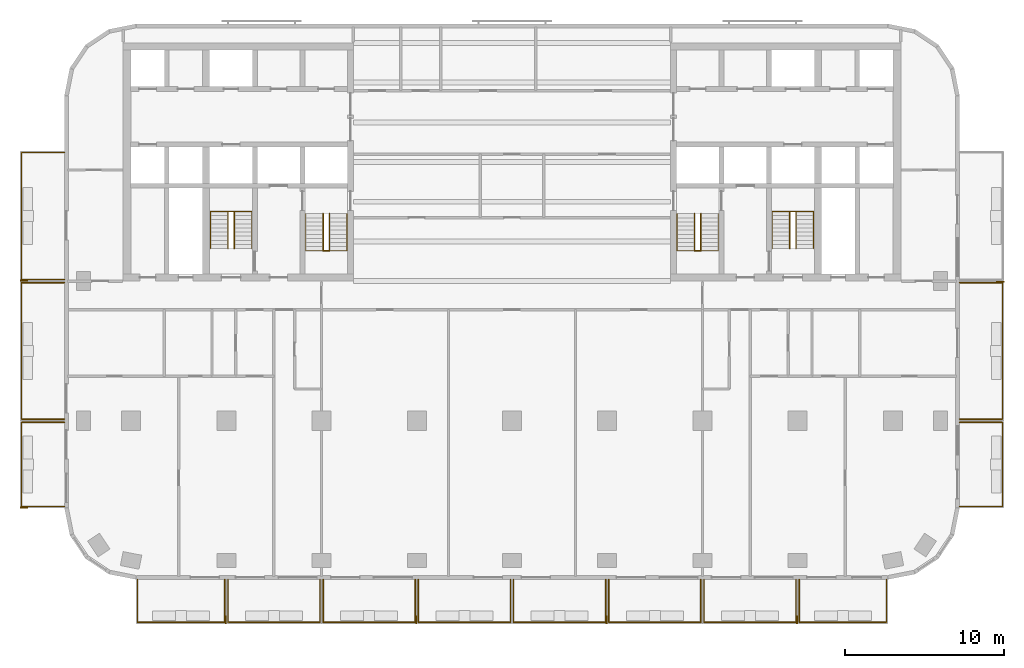
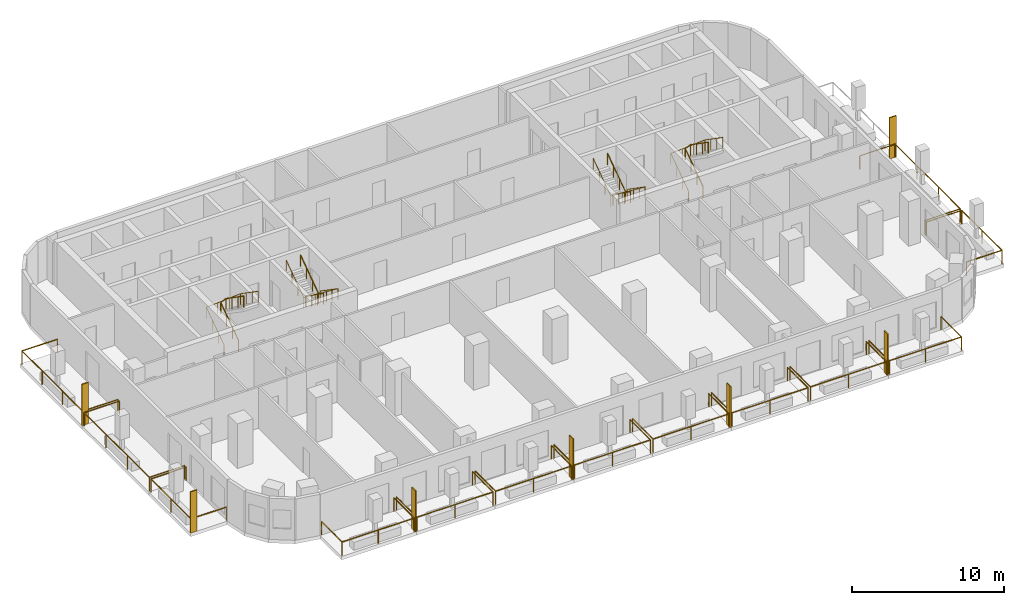
# One storey, part 9 of 11: 21 railings, 7 shading devices.
"""IFC4 building model written with IfcOpenShell, lengths in metres."""

import ifcopenshell
import ifcopenshell.guid

model = None  # the IFC model being written
_history = None  # IfcOwnerHistory: only IFC2X3 demands one
_inside = {}  # id of a spatial element -> (the spatial element, [elements in it])
_under = {}  # id of a project, library or spatial element -> (it, [spatial elements below it])
_declared = {}  # id of a project -> (the project, [libraries it declares])
_typed = {}  # id of a type object -> (the type object, [elements of that type])
_made_of = {}  # id of a material, layer set ... -> (it, [elements and type objects made of it])


def new_model(schema):
    """Start an empty IFC model of exactly this schema.

    Asked for "IFC4X3", IfcOpenShell would pick the latest addendum, in which some entities
    have other attributes; the version numbers below select the first issue.
    IFC2X3 requires an IfcOwnerHistory on every rooted entity: one is made here for all.
    """
    global model, _history
    if schema == "IFC4X3":
        model = ifcopenshell.file(schema_version=(4, 3, 0, 0))
    else:
        model = ifcopenshell.file(schema=schema)
    _inside.clear()
    _under.clear()
    _declared.clear()
    _typed.clear()
    _made_of.clear()
    _history = None
    if model.schema == "IFC2X3":
        org = make("IfcOrganization", Name="unknown")
        user = make(
            "IfcPersonAndOrganization",
            ThePerson=make("IfcPerson", FamilyName="unknown"),
            TheOrganization=org,
        )
        app = make(
            "IfcApplication",
            ApplicationDeveloper=org,
            Version="unknown",
            ApplicationFullName="unknown",
            ApplicationIdentifier="unknown",
        )
        _history = make(
            "IfcOwnerHistory",
            OwningUser=user,
            OwningApplication=app,
            ChangeAction="ADDED",
            CreationDate=0,
        )
    return model


def make(cls, **values):
    """One entity of the class cls with the attributes given. An attribute that is None is left unset."""
    return model.create_entity(
        cls, **{name: value for name, value in values.items() if value is not None}
    )


def rooted(cls, **values):
    """An entity with a GlobalId (a new one), such as an element, a storey or a relation."""
    return make(cls, GlobalId=ifcopenshell.guid.new(), OwnerHistory=_history, **values)


def si_unit(unit_type, name, prefix=None):
    """IfcSIUnit, for example si_unit("LENGTHUNIT", "METRE", prefix="MILLI")."""
    return make("IfcSIUnit", UnitType=unit_type, Prefix=prefix, Name=name)


def assignment(units):
    """IfcUnitAssignment: the units of a project."""
    return None if units is None else make("IfcUnitAssignment", Units=units)


def point(xyz):
    """IfcCartesianPoint."""
    return None if xyz is None else make("IfcCartesianPoint", Coordinates=xyz)


def direction(xyz):
    """IfcDirection."""
    return None if xyz is None else make("IfcDirection", DirectionRatios=xyz)


def frame(location, z_axis=None, x_axis=None):
    """IfcAxis2Placement3D, a coordinate frame: its origin and axes. An axis left out is left unset."""
    return make(
        "IfcAxis2Placement3D",
        Location=point(location),
        Axis=direction(z_axis),
        RefDirection=direction(x_axis),
    )


def frame_2d(location, x_axis=None):
    """IfcAxis2Placement2D, a coordinate frame in the plane: its origin and x axis."""
    return make(
        "IfcAxis2Placement2D", Location=point(location), RefDirection=direction(x_axis)
    )


def origin():
    """The frame at (0, 0, 0) with its axes left unset."""
    return frame((0.0, 0.0, 0.0))


def origin_2d():
    """The frame at (0, 0) in the plane with its x axis left unset."""
    return frame_2d((0.0, 0.0))


def place(relative_to, where):
    """IfcLocalPlacement: puts the frame where relative to a parent placement (None: the world)."""
    return make(
        "IfcLocalPlacement", PlacementRelTo=relative_to, RelativePlacement=where
    )


def context(
    kind, dimensions, precision=None, world=None, true_north=None, identifier=None
):
    """IfcGeometricRepresentationContext, for example the 3D "Model" context."""
    return make(
        "IfcGeometricRepresentationContext",
        ContextIdentifier=identifier,
        ContextType=kind,
        CoordinateSpaceDimension=dimensions,
        Precision=precision,
        WorldCoordinateSystem=world,
        TrueNorth=true_north,
    )


def subcontext(parent, identifier, kind, view, scale=None):
    """IfcGeometricRepresentationSubContext, for example "Body" below "Model"."""
    return make(
        "IfcGeometricRepresentationSubContext",
        ContextIdentifier=identifier,
        ContextType=kind,
        ParentContext=parent,
        TargetScale=scale,
        TargetView=view,
    )


def project(units=None, contexts=None):
    """IfcProject with its units and contexts."""
    return rooted(
        "IfcProject",
        Name="project",
        RepresentationContexts=contexts,
        UnitsInContext=assignment(units),
    )


def spatial(cls, under=None, at=None, **own):
    """A site, building, storey or space (cls), placed at a placement, below another one or the project."""
    s = rooted(cls, ObjectPlacement=at, **own)
    if under is not None:
        _under.setdefault(under.id(), (under, []))[1].append(s)
    return s


def profile(cls, at=None, kind="AREA", **sizes):
    """A parametric profile (cls). Its sizes go by their IFC names, for example OverallWidth=200.0."""
    return make(cls, ProfileType=kind, Position=at, **sizes)


def rectangle(**sizes):
    """IfcRectangleProfileDef."""
    return profile("IfcRectangleProfileDef", **sizes)


def circle(**sizes):
    """IfcCircleProfileDef."""
    return profile("IfcCircleProfileDef", **sizes)


def extrude(swept, where, along, depth):
    """IfcExtrudedAreaSolid: the profile swept, set in the frame where, extruded along a direction by depth."""
    return make(
        "IfcExtrudedAreaSolid",
        SweptArea=swept,
        Position=where,
        ExtrudedDirection=direction(along),
        Depth=depth,
    )


def shape(context_of_items, identifier, shape_type, items):
    """IfcShapeRepresentation: the items that make up one representation, for example the "Body"."""
    return make(
        "IfcShapeRepresentation",
        ContextOfItems=context_of_items,
        RepresentationIdentifier=identifier,
        RepresentationType=shape_type,
        Items=items,
    )


def material(Name=None, Category=None):
    """IfcMaterial."""
    return make("IfcMaterial", Name=Name, Category=Category)


def layer(
    of_material, thickness, ventilated=None, Name=None, Category=None, Priority=None
):
    """IfcMaterialLayer: one layer of a wall or slab, of a material (None: an air gap)."""
    return make(
        "IfcMaterialLayer",
        Material=of_material,
        LayerThickness=thickness,
        IsVentilated=ventilated,
        Name=Name,
        Category=Category,
        Priority=Priority,
    )


def layer_set(layers, Name=None):
    """IfcMaterialLayerSet."""
    return make("IfcMaterialLayerSet", MaterialLayers=layers, LayerSetName=Name)


def made_of(thing, what):
    """Note that an element or type object is made of a material, layer set ...; save() writes the relation."""
    if what is not None:
        _made_of.setdefault(what.id(), (what, []))[1].append(thing)
    return thing


def type_object(cls, material=None, **own):
    """A type object (cls), such as IfcWallType, which elements share."""
    return made_of(rooted(cls, **own), material)


def element(
    cls,
    number,
    at=None,
    inside=None,
    cuts=None,
    type_object=None,
    material=None,
    context=None,
    identifier="Body",
    shape_type=None,
    held_by="IfcProductDefinitionShape",
    body=None,
    shapes=None,
    **own,
):
    """One element of the class cls, such as IfcWall. Its Tag is "e" and its number.

    at: its placement. inside: the storey or other place that contains it. cuts: it is an
    opening in that element (IfcRelVoidsElement). A single representation is given by context,
    identifier, shape_type and body (its items); several are given by shapes. held_by: the class
    of the entity that holds the representations. save() writes the other relations.
    """
    e = rooted(cls, Tag="e%d" % number, ObjectPlacement=at, **own)
    if body is not None:
        shapes = [shape(context, identifier, shape_type, body)]
    if shapes is not None:
        e.Representation = make(held_by, Representations=shapes)
    if inside is not None:
        _inside.setdefault(inside.id(), (inside, []))[1].append(e)
    if cuts is not None:
        rooted(
            "IfcRelVoidsElement", RelatingBuildingElement=cuts, RelatedOpeningElement=e
        )
    if type_object is not None:
        _typed.setdefault(type_object.id(), (type_object, []))[1].append(e)
    return made_of(e, material)


def aggregate(whole, parts):
    """IfcRelAggregates: a whole, such as a stair, and the parts it consists of."""
    return rooted("IfcRelAggregates", RelatingObject=whole, RelatedObjects=parts)


def save(model, path):
    """Write the relations noted so far, then the file.

    IfcRelAggregates (storeys below a building ...), IfcRelContainedInSpatialStructure (elements
    in a storey), IfcRelDefinesByType, IfcRelAssociatesMaterial and IfcRelDeclares: one each for
    every whole, place, type object, material and project.
    """
    for whole, parts in _under.values():
        aggregate(whole, parts)
    for where, things in _inside.values():
        rooted(
            "IfcRelContainedInSpatialStructure",
            RelatedElements=things,
            RelatingStructure=where,
        )
    for kind, things in _typed.values():
        rooted("IfcRelDefinesByType", RelatedObjects=things, RelatingType=kind)
    for what, things in _made_of.values():
        rooted("IfcRelAssociatesMaterial", RelatedObjects=things, RelatingMaterial=what)
    for by, libraries in _declared.values():
        rooted("IfcRelDeclares", RelatingContext=by, RelatedDefinitions=libraries)
    model.write(path)


model = new_model("IFC4")

# Units and contexts
model_context = context("Model", 3, precision=1e-05, world=origin(), true_north=direction((0.0, 1.0)))
body_context = subcontext(model_context, "Body", "Model", "MODEL_VIEW")
ifc_project = project(units=[si_unit("LENGTHUNIT", "METRE"), si_unit("AREAUNIT", "SQUARE_METRE"), si_unit("VOLUMEUNIT", "CUBIC_METRE"), si_unit("PLANEANGLEUNIT", "RADIAN"), si_unit("MASSUNIT", "GRAM", prefix="KILO")], contexts=[model_context])

# Site, building, storey
site_placement = place(None, origin())
site = spatial("IfcSite", under=ifc_project, at=site_placement, CompositionType="ELEMENT")
building_placement = place(site_placement, origin())
building = spatial("IfcBuilding", under=site, at=building_placement, Name="Torana Hotel and Residences", CompositionType="ELEMENT")
storey_placement = place(building_placement, frame((0.0, 0.0, 145.199951171875)))
storey = spatial("IfcBuildingStorey", under=building, at=storey_placement, Name="L37", CompositionType="ELEMENT", Elevation=145.199951171875)

# Shading devices
ifc_material_1 = material(Name="Black powder coated aluminium", Category="aluminium")
ifc_layer = layer(ifc_material_1, 0.080078125)
ifc_layer_set = layer_set([ifc_layer], Name="FN1 VERTICAL FIN 500x80")
shading_device_type = type_object("IfcShadingDeviceType", Name="FN1 VERTICAL FIN 500x80", PredefinedType="USERDEFINED", material=ifc_layer_set)
for number, where, z_axis, x_axis, name in (
    (1, (-18.0400390625, -36.35009765625, 0.0), (0.0, 0.0, 1.0), (-1.0, 0.0, 0.0), "Fin 01"),
    (2, (-6.0400390625, -36.35009765625, 0.0), (0.0, 0.0, 1.0), (-1.0, 0.0, 0.0), "Fin 03"),
    (3, (5.9599609375, -36.35009765625, 0.0), (0.0, 0.0, 1.0), (-1.0, 0.0, 0.0), "Fin 05"),
    (4, (17.9599609375, -36.35009765625, 0.0), (0.0, 0.0, 1.0), (-1.0, 0.0, 0.0), "Fin 07"),
    (5, (-30.75, -29.260009765625, 0.0), (0.0, 0.0, 1.0), (0.0, 1.0, 0.0), "Fin 09"),
    (6, (-30.75, -14.9599609375, 0.0), (0.0, 0.0, 1.0), (0.0, 1.0, 0.0), "Fin 11"),
    (7, (30.75, -15.0400390625, 0.0), (0.0, 0.0, 1.0), (0.0, -1.0, 0.0), "Fin 13"),
):
    element("IfcShadingDevice", number, at=place(storey_placement, frame(where, z_axis=z_axis, x_axis=x_axis)), inside=storey, type_object=shading_device_type, Name=name, ObjectType="FIN", PredefinedType="USERDEFINED", context=body_context, shape_type="SweptSolid", body=[
        extrude(rectangle(XDim=0.080078125, YDim=0.5, at=origin_2d()), origin(), (0.0, 0.0, 1.0), 3.320068359375),
    ])

# Railings
ifc_material_2 = material(Name="Laminated glass balustrade with black handrail", Category="glass")
railing_type_1 = type_object("IfcRailingType", Name="GR1 BALCONY GUARD 1100 GLASS", PredefinedType="GUARDRAIL", material=ifc_material_2)
railing_1_placement = place(storey_placement, frame((-18.10009765625, -33.800048828125, 0.0)))
element("IfcRailing", 8, at=railing_1_placement, inside=storey, type_object=railing_type_1, Name="Balcony guard 01", PredefinedType="GUARDRAIL", context=body_context, shape_type="SweptSolid", body=[
    extrude(circle(Radius=0.02392578125, at=origin_2d()), frame((0.0, 0.0, 1.076171875), z_axis=(0.0, -1.0, 0.0), x_axis=(1.0, 0.0, 0.0)), (0.0, 0.0, 1.0), 2.699951171875),
    extrude(circle(Radius=0.02392578125, at=origin_2d()), frame((0.0, -2.699951171875, 1.076171875), z_axis=(-1.0, 0.0, 0.0), x_axis=(0.0, -1.0, 0.0)), (0.0, 0.0, 1.0), 5.5),
    extrude(circle(Radius=0.02392578125, at=origin_2d()), frame((-5.5, -2.699951171875, 1.076171875), z_axis=(0.0, 1.0, 0.0), x_axis=(-1.0, 0.0, 0.0)), (0.0, 0.0, 1.0), 2.699951171875),
    extrude(circle(Radius=0.02099609375, at=origin_2d()), origin(), (0.0, 0.0, 1.0), 1.052001953125),
    extrude(circle(Radius=0.02099609375, at=origin_2d()), frame((0.0, -2.699951171875, 0.0)), (0.0, 0.0, 1.0), 1.052001953125),
    extrude(circle(Radius=0.02099609375, at=origin_2d()), frame((-2.75, -2.699951171875, 0.0)), (0.0, 0.0, 1.0), 1.052001953125),
    extrude(circle(Radius=0.02099609375, at=origin_2d()), frame((-5.5, -2.699951171875, 0.0)), (0.0, 0.0, 1.0), 1.052001953125),
    extrude(circle(Radius=0.02099609375, at=origin_2d()), frame((-5.5, 0.0, 0.0)), (0.0, 0.0, 1.0), 1.052001953125),
])
for number, where, name in (
    (9, (-12.10009765625, -33.800048828125, 0.0), "Balcony guard 02"),
    (10, (-6.10009765625, -33.800048828125, 0.0), "Balcony guard 03"),
    (11, (-0.10009765625, -33.800048828125, 0.0), "Balcony guard 04"),
    (12, (5.89990234375, -33.800048828125, 0.0), "Balcony guard 05"),
    (13, (11.89990234375, -33.800048828125, 0.0), "Balcony guard 06"),
    (14, (17.89990234375, -33.800048828125, 0.0), "Balcony guard 07"),
):
    element("IfcRailing", number, at=place(storey_placement, frame(where)), inside=storey, type_object=railing_type_1, Name=name, PredefinedType="GUARDRAIL", context=body_context, shape_type="SweptSolid", body=[
        extrude(circle(Radius=0.02392578125, at=origin_2d()), frame((0.0, 0.0, 1.076171875), z_axis=(0.0, -1.0, 0.0), x_axis=(1.0, 0.0, 0.0)), (0.0, 0.0, 1.0), 2.699951171875),
        extrude(circle(Radius=0.02392578125, at=origin_2d()), frame((0.0, -2.699951171875, 1.076171875), z_axis=(-1.0, 0.0, 0.0), x_axis=(0.0, -1.0, 0.0)), (0.0, 0.0, 1.0), 5.7998046875),
        extrude(circle(Radius=0.02392578125, at=origin_2d()), frame((-5.7998046875, -2.699951171875, 1.076171875), z_axis=(0.0, 1.0, 0.0), x_axis=(-1.0, 0.0, 0.0)), (0.0, 0.0, 1.0), 2.699951171875),
        extrude(circle(Radius=0.02099609375, at=origin_2d()), origin(), (0.0, 0.0, 1.0), 1.052001953125),
        extrude(circle(Radius=0.02099609375, at=origin_2d()), frame((0.0, -2.699951171875, 0.0)), (0.0, 0.0, 1.0), 1.052001953125),
        extrude(circle(Radius=0.02099609375, at=origin_2d()), frame((-2.89990234375, -2.699951171875, 0.0)), (0.0, 0.0, 1.0), 1.052001953125),
        extrude(circle(Radius=0.02099609375, at=origin_2d()), frame((-5.7998046875, -2.699951171875, 0.0)), (0.0, 0.0, 1.0), 1.052001953125),
        extrude(circle(Radius=0.02099609375, at=origin_2d()), frame((-5.7998046875, 0.0, 0.0)), (0.0, 0.0, 1.0), 1.052001953125),
    ])
railing_2_placement = place(storey_placement, frame((23.60009765625, -33.800048828125, 0.0)))
element("IfcRailing", 15, at=railing_2_placement, inside=storey, type_object=railing_type_1, Name="Balcony guard 08", PredefinedType="GUARDRAIL", context=body_context, shape_type="SweptSolid", body=[
    extrude(circle(Radius=0.02392578125, at=origin_2d()), frame((0.0, 0.0, 1.076171875), z_axis=(0.0, -1.0, 0.0), x_axis=(1.0, 0.0, 0.0)), (0.0, 0.0, 1.0), 2.699951171875),
    extrude(circle(Radius=0.02392578125, at=origin_2d()), frame((0.0, -2.699951171875, 1.076171875), z_axis=(-1.0, 0.0, 0.0), x_axis=(0.0, -1.0, 0.0)), (0.0, 0.0, 1.0), 5.5),
    extrude(circle(Radius=0.02392578125, at=origin_2d()), frame((-5.5, -2.699951171875, 1.076171875), z_axis=(0.0, 1.0, 0.0), x_axis=(-1.0, 0.0, 0.0)), (0.0, 0.0, 1.0), 2.699951171875),
    extrude(circle(Radius=0.02099609375, at=origin_2d()), origin(), (0.0, 0.0, 1.0), 1.052001953125),
    extrude(circle(Radius=0.02099609375, at=origin_2d()), frame((0.0, -2.699951171875, 0.0)), (0.0, 0.0, 1.0), 1.052001953125),
    extrude(circle(Radius=0.02099609375, at=origin_2d()), frame((-2.75, -2.699951171875, 0.0)), (0.0, 0.0, 1.0), 1.052001953125),
    extrude(circle(Radius=0.02099609375, at=origin_2d()), frame((-5.5, -2.699951171875, 0.0)), (0.0, 0.0, 1.0), 1.052001953125),
    extrude(circle(Radius=0.02099609375, at=origin_2d()), frame((-5.5, 0.0, 0.0)), (0.0, 0.0, 1.0), 1.052001953125),
])
railing_3_placement = place(storey_placement, frame((-28.199951171875, -29.199951171875, 0.0)))
element("IfcRailing", 16, at=railing_3_placement, inside=storey, type_object=railing_type_1, Name="Balcony guard 09", PredefinedType="GUARDRAIL", context=body_context, shape_type="SweptSolid", body=[
    extrude(circle(Radius=0.02392578125, at=origin_2d()), frame((0.0, 0.0, 1.076171875), z_axis=(-1.0, 0.0, 0.0), x_axis=(0.0, -1.0, 0.0)), (0.0, 0.0, 1.0), 2.699951171875),
    extrude(circle(Radius=0.02392578125, at=origin_2d()), frame((-2.699951171875, 0.0, 1.076171875), z_axis=(0.0, 1.0, 0.0), x_axis=(-1.0, 0.0, 0.0)), (0.0, 0.0, 1.0), 5.300048828125),
    extrude(circle(Radius=0.02392578125, at=origin_2d()), frame((-2.699951171875, 5.300048828125, 1.076171875), z_axis=(1.0, 0.0, 0.0), x_axis=(0.0, 1.0, 0.0)), (0.0, 0.0, 1.0), 2.699951171875),
    extrude(circle(Radius=0.02099609375, at=origin_2d()), origin(), (0.0, 0.0, 1.0), 1.052001953125),
    extrude(circle(Radius=0.02099609375, at=origin_2d()), frame((-2.699951171875, 0.0, 0.0)), (0.0, 0.0, 1.0), 1.052001953125),
    extrude(circle(Radius=0.02099609375, at=origin_2d()), frame((-2.699951171875, 2.64990234375, 0.0)), (0.0, 0.0, 1.0), 1.052001953125),
    extrude(circle(Radius=0.02099609375, at=origin_2d()), frame((-2.699951171875, 5.300048828125, 0.0)), (0.0, 0.0, 1.0), 1.052001953125),
    extrude(circle(Radius=0.02099609375, at=origin_2d()), frame((0.0, 5.300048828125, 0.0)), (0.0, 0.0, 1.0), 1.052001953125),
])
railing_4_placement = place(storey_placement, frame((-28.199951171875, -23.699951171875, 0.0)))
element("IfcRailing", 17, at=railing_4_placement, inside=storey, type_object=railing_type_1, Name="Balcony guard 10", PredefinedType="GUARDRAIL", context=body_context, shape_type="SweptSolid", body=[
    extrude(circle(Radius=0.02392578125, at=origin_2d()), frame((0.0, 0.0, 1.076171875), z_axis=(-1.0, 0.0, 0.0), x_axis=(0.0, -1.0, 0.0)), (0.0, 0.0, 1.0), 2.699951171875),
    extrude(circle(Radius=0.02392578125, at=origin_2d()), frame((-2.699951171875, 0.0, 1.076171875), z_axis=(0.0, 1.0, 0.0), x_axis=(-1.0, 0.0, 0.0)), (0.0, 0.0, 1.0), 8.599853515625),
    extrude(circle(Radius=0.02392578125, at=origin_2d()), frame((-2.699951171875, 8.599853515625, 1.076171875), z_axis=(1.0, 0.0, 0.0), x_axis=(0.0, 1.0, 0.0)), (0.0, 0.0, 1.0), 2.699951171875),
    extrude(circle(Radius=0.02099609375, at=origin_2d()), origin(), (0.0, 0.0, 1.0), 1.052001953125),
    extrude(circle(Radius=0.02099609375, at=origin_2d()), frame((-2.699951171875, 0.0, 0.0)), (0.0, 0.0, 1.0), 1.052001953125),
    extrude(circle(Radius=0.02099609375, at=origin_2d()), frame((-2.699951171875, 2.86669921875, 0.0)), (0.0, 0.0, 1.0), 1.052001953125),
    extrude(circle(Radius=0.02099609375, at=origin_2d()), frame((-2.699951171875, 5.733154296875, 0.0)), (0.0, 0.0, 1.0), 1.052001953125),
    extrude(circle(Radius=0.02099609375, at=origin_2d()), frame((-2.699951171875, 8.599853515625, 0.0)), (0.0, 0.0, 1.0), 1.052001953125),
    extrude(circle(Radius=0.02099609375, at=origin_2d()), frame((0.0, 8.599853515625, 0.0)), (0.0, 0.0, 1.0), 1.052001953125),
])
railing_5_placement = place(storey_placement, frame((-28.199951171875, -14.89990234375, 0.0)))
element("IfcRailing", 18, at=railing_5_placement, inside=storey, type_object=railing_type_1, Name="Balcony guard 11", PredefinedType="GUARDRAIL", context=body_context, shape_type="SweptSolid", body=[
    extrude(circle(Radius=0.02392578125, at=origin_2d()), frame((0.0, 0.0, 1.076171875), z_axis=(-1.0, 0.0, 0.0), x_axis=(0.0, -1.0, 0.0)), (0.0, 0.0, 1.0), 2.699951171875),
    extrude(circle(Radius=0.02392578125, at=origin_2d()), frame((-2.699951171875, 0.0, 1.076171875), z_axis=(0.0, 1.0, 0.0), x_axis=(-1.0, 0.0, 0.0)), (0.0, 0.0, 1.0), 8.0),
    extrude(circle(Radius=0.02392578125, at=origin_2d()), frame((-2.699951171875, 8.0, 1.076171875), z_axis=(1.0, 0.0, 0.0), x_axis=(0.0, 1.0, 0.0)), (0.0, 0.0, 1.0), 2.699951171875),
    extrude(circle(Radius=0.02099609375, at=origin_2d()), origin(), (0.0, 0.0, 1.0), 1.052001953125),
    extrude(circle(Radius=0.02099609375, at=origin_2d()), frame((-2.699951171875, 0.0, 0.0)), (0.0, 0.0, 1.0), 1.052001953125),
    extrude(circle(Radius=0.02099609375, at=origin_2d()), frame((-2.699951171875, 2.666748046875, 0.0)), (0.0, 0.0, 1.0), 1.052001953125),
    extrude(circle(Radius=0.02099609375, at=origin_2d()), frame((-2.699951171875, 5.333251953125, 0.0)), (0.0, 0.0, 1.0), 1.052001953125),
    extrude(circle(Radius=0.02099609375, at=origin_2d()), frame((-2.699951171875, 8.0, 0.0)), (0.0, 0.0, 1.0), 1.052001953125),
    extrude(circle(Radius=0.02099609375, at=origin_2d()), frame((0.0, 8.0, 0.0)), (0.0, 0.0, 1.0), 1.052001953125),
])
railing_6_placement = place(storey_placement, frame((28.199951171875, -23.89990234375, 0.0)))
element("IfcRailing", 19, at=railing_6_placement, inside=storey, type_object=railing_type_1, Name="Balcony guard 12", PredefinedType="GUARDRAIL", context=body_context, shape_type="SweptSolid", body=[
    extrude(circle(Radius=0.02392578125, at=origin_2d()), frame((0.0, 0.0, 1.076171875), z_axis=(1.0, 0.0, 0.0), x_axis=(0.0, 1.0, 0.0)), (0.0, 0.0, 1.0), 2.699951171875),
    extrude(circle(Radius=0.02392578125, at=origin_2d()), frame((2.699951171875, 0.0, 1.076171875), z_axis=(0.0, -1.0, 0.0), x_axis=(1.0, 0.0, 0.0)), (0.0, 0.0, 1.0), 5.300048828125),
    extrude(circle(Radius=0.02392578125, at=origin_2d()), frame((2.699951171875, -5.300048828125, 1.076171875), z_axis=(-1.0, 0.0, 0.0), x_axis=(0.0, -1.0, 0.0)), (0.0, 0.0, 1.0), 2.699951171875),
    extrude(circle(Radius=0.02099609375, at=origin_2d()), origin(), (0.0, 0.0, 1.0), 1.052001953125),
    extrude(circle(Radius=0.02099609375, at=origin_2d()), frame((2.699951171875, 0.0, 0.0)), (0.0, 0.0, 1.0), 1.052001953125),
    extrude(circle(Radius=0.02099609375, at=origin_2d()), frame((2.699951171875, -2.64990234375, 0.0)), (0.0, 0.0, 1.0), 1.052001953125),
    extrude(circle(Radius=0.02099609375, at=origin_2d()), frame((2.699951171875, -5.300048828125, 0.0)), (0.0, 0.0, 1.0), 1.052001953125),
    extrude(circle(Radius=0.02099609375, at=origin_2d()), frame((0.0, -5.300048828125, 0.0)), (0.0, 0.0, 1.0), 1.052001953125),
])
railing_7_placement = place(storey_placement, frame((28.199951171875, -15.10009765625, 0.0)))
element("IfcRailing", 20, at=railing_7_placement, inside=storey, type_object=railing_type_1, Name="Balcony guard 13", PredefinedType="GUARDRAIL", context=body_context, shape_type="SweptSolid", body=[
    extrude(circle(Radius=0.02392578125, at=origin_2d()), frame((0.0, 0.0, 1.076171875), z_axis=(1.0, 0.0, 0.0), x_axis=(0.0, 1.0, 0.0)), (0.0, 0.0, 1.0), 2.699951171875),
    extrude(circle(Radius=0.02392578125, at=origin_2d()), frame((2.699951171875, 0.0, 1.076171875), z_axis=(0.0, -1.0, 0.0), x_axis=(1.0, 0.0, 0.0)), (0.0, 0.0, 1.0), 8.599853515625),
    extrude(circle(Radius=0.02392578125, at=origin_2d()), frame((2.699951171875, -8.599853515625, 1.076171875), z_axis=(-1.0, 0.0, 0.0), x_axis=(0.0, -1.0, 0.0)), (0.0, 0.0, 1.0), 2.699951171875),
    extrude(circle(Radius=0.02099609375, at=origin_2d()), origin(), (0.0, 0.0, 1.0), 1.052001953125),
    extrude(circle(Radius=0.02099609375, at=origin_2d()), frame((2.699951171875, 0.0, 0.0)), (0.0, 0.0, 1.0), 1.052001953125),
    extrude(circle(Radius=0.02099609375, at=origin_2d()), frame((2.699951171875, -2.86669921875, 0.0)), (0.0, 0.0, 1.0), 1.052001953125),
    extrude(circle(Radius=0.02099609375, at=origin_2d()), frame((2.699951171875, -5.733154296875, 0.0)), (0.0, 0.0, 1.0), 1.052001953125),
    extrude(circle(Radius=0.02099609375, at=origin_2d()), frame((2.699951171875, -8.599853515625, 0.0)), (0.0, 0.0, 1.0), 1.052001953125),
    extrude(circle(Radius=0.02099609375, at=origin_2d()), frame((0.0, -8.599853515625, 0.0)), (0.0, 0.0, 1.0), 1.052001953125),
])
ifc_material_3 = material(Name="Stainless steel 316", Category="steel")
railing_type_2 = type_object("IfcRailingType", Name="STAIR HANDRAIL HR1 900", PredefinedType="HANDRAIL", material=ifc_material_3)
railing_8_placement = place(storey_placement, frame((-10.39990234375, -10.75, 0.179931640625)))
element("IfcRailing", 21, at=railing_8_placement, inside=storey, type_object=railing_type_2, Name="Handrail ST1 L37 O1", PredefinedType="HANDRAIL", context=body_context, shape_type="SweptSolid", body=[
    extrude(circle(Radius=0.02392578125, at=origin_2d()), frame((0.0, 0.0, 0.8759765625), z_axis=(0.0, -0.822182927502, 0.569223360136), x_axis=(1.0, 0.0, 0.0)), (0.0, 0.0, 1.0), 2.84619140625),
    extrude(circle(Radius=0.02392578125, at=origin_2d()), frame((0.0, -2.340087890625, 2.49609375), z_axis=(-0.997614115953, 0.0, 0.069036770278), x_axis=(0.0, -1.0, 0.0)), (0.0, 0.0, 1.0), 2.606201171875),
    extrude(circle(Radius=0.02392578125, at=origin_2d()), frame((-2.60009765625, -2.340087890625, 2.67578125), z_axis=(0.0, 0.822182927502, 0.569223360136), x_axis=(-1.0, 0.0, 0.0)), (0.0, 0.0, 1.0), 2.84619140625),
    extrude(circle(Radius=0.02099609375, at=origin_2d()), origin(), (0.0, 0.0, 1.0), 0.851806640625),
    extrude(circle(Radius=0.02099609375, at=origin_2d()), frame((0.0, -0.780029296875, 0.5400390625)), (0.0, 0.0, 1.0), 0.851806640625),
    extrude(circle(Radius=0.02099609375, at=origin_2d()), frame((0.0, -1.56005859375, 1.080078125)), (0.0, 0.0, 1.0), 0.851806640625),
    extrude(circle(Radius=0.02099609375, at=origin_2d()), frame((0.0, -2.340087890625, 1.6201171875)), (0.0, 0.0, 1.0), 0.851806640625),
    extrude(circle(Radius=0.02099609375, at=origin_2d()), frame((-0.86669921875, -2.340087890625, 1.68017578125)), (0.0, 0.0, 1.0), 0.851806640625),
    extrude(circle(Radius=0.02099609375, at=origin_2d()), frame((-1.7333984375, -2.340087890625, 1.739990234375)), (0.0, 0.0, 1.0), 0.851806640625),
    extrude(circle(Radius=0.02099609375, at=origin_2d()), frame((-2.60009765625, -2.340087890625, 1.800048828125)), (0.0, 0.0, 1.0), 0.851806640625),
    extrude(circle(Radius=0.02099609375, at=origin_2d()), frame((-2.60009765625, -1.56005859375, 2.340087890625)), (0.0, 0.0, 1.0), 0.851806640625),
    extrude(circle(Radius=0.02099609375, at=origin_2d()), frame((-2.60009765625, -0.780029296875, 2.880126953125)), (0.0, 0.0, 1.0), 0.851806640625),
    extrude(circle(Radius=0.02099609375, at=origin_2d()), frame((-2.60009765625, 0.0, 3.420166015625)), (0.0, 0.0, 1.0), 0.851806640625),
])
railing_9_placement = place(storey_placement, frame((-11.5, -10.75, 0.179931640625)))
element("IfcRailing", 22, at=railing_9_placement, inside=storey, type_object=railing_type_2, Name="Handrail ST1 L37 I1", PredefinedType="HANDRAIL", context=body_context, shape_type="SweptSolid", body=[
    extrude(circle(Radius=0.02392578125, at=origin_2d()), frame((0.0, 0.0, 0.8759765625), z_axis=(0.0, -0.822182927502, 0.569223360136), x_axis=(1.0, 0.0, 0.0)), (0.0, 0.0, 1.0), 2.84619140625),
    extrude(circle(Radius=0.02392578125, at=origin_2d()), frame((0.0, -2.340087890625, 2.49609375), z_axis=(-0.911942338396, 0.0, 0.410318378143), x_axis=(0.0, -1.0, 0.0)), (0.0, 0.0, 1.0), 0.4384765625),
    extrude(circle(Radius=0.02392578125, at=origin_2d()), frame((-0.39990234375, -2.340087890625, 2.67578125), z_axis=(0.0, 0.822182927502, 0.569223360136), x_axis=(-1.0, 0.0, 0.0)), (0.0, 0.0, 1.0), 2.84619140625),
    extrude(circle(Radius=0.02099609375, at=origin_2d()), origin(), (0.0, 0.0, 1.0), 0.851806640625),
    extrude(circle(Radius=0.02099609375, at=origin_2d()), frame((0.0, -0.780029296875, 0.5400390625)), (0.0, 0.0, 1.0), 0.851806640625),
    extrude(circle(Radius=0.02099609375, at=origin_2d()), frame((0.0, -1.56005859375, 1.080078125)), (0.0, 0.0, 1.0), 0.851806640625),
    extrude(circle(Radius=0.02099609375, at=origin_2d()), frame((0.0, -2.340087890625, 1.6201171875)), (0.0, 0.0, 1.0), 0.851806640625),
    extrude(circle(Radius=0.02099609375, at=origin_2d()), frame((-0.39990234375, -2.340087890625, 1.800048828125)), (0.0, 0.0, 1.0), 0.851806640625),
    extrude(circle(Radius=0.02099609375, at=origin_2d()), frame((-0.39990234375, -1.56005859375, 2.340087890625)), (0.0, 0.0, 1.0), 0.851806640625),
    extrude(circle(Radius=0.02099609375, at=origin_2d()), frame((-0.39990234375, -0.780029296875, 2.880126953125)), (0.0, 0.0, 1.0), 0.851806640625),
    extrude(circle(Radius=0.02099609375, at=origin_2d()), frame((-0.39990234375, 0.0, 3.420166015625)), (0.0, 0.0, 1.0), 0.851806640625),
])
railing_10_placement = place(storey_placement, frame((-19.0, -12.949951171875, 0.179931640625)))
element("IfcRailing", 23, at=railing_10_placement, inside=storey, type_object=railing_type_2, Name="Handrail ST2 L37 O1", PredefinedType="HANDRAIL", context=body_context, shape_type="SweptSolid", body=[
    extrude(circle(Radius=0.02392578125, at=origin_2d()), frame((0.0, 0.0, 0.8759765625), z_axis=(0.0, 0.822155131156, 0.569263506923), x_axis=(-1.0, 0.0, 0.0)), (0.0, 0.0, 1.0), 2.845947265625),
    extrude(circle(Radius=0.02392578125, at=origin_2d()), frame((0.0, 2.33984375, 2.49609375), z_axis=(0.997614115953, 0.0, 0.069036770278), x_axis=(0.0, 1.0, 0.0)), (0.0, 0.0, 1.0), 2.606201171875),
    extrude(circle(Radius=0.02392578125, at=origin_2d()), frame((2.60009765625, 2.33984375, 2.67578125), z_axis=(0.0, -0.822155131156, 0.569263506923), x_axis=(1.0, 0.0, 0.0)), (0.0, 0.0, 1.0), 2.845947265625),
    extrude(circle(Radius=0.02099609375, at=origin_2d()), origin(), (0.0, 0.0, 1.0), 0.851806640625),
    extrude(circle(Radius=0.02099609375, at=origin_2d()), frame((0.0, 0.780029296875, 0.5400390625)), (0.0, 0.0, 1.0), 0.851806640625),
    extrude(circle(Radius=0.02099609375, at=origin_2d()), frame((0.0, 1.559814453125, 1.080078125)), (0.0, 0.0, 1.0), 0.851806640625),
    extrude(circle(Radius=0.02099609375, at=origin_2d()), frame((0.0, 2.33984375, 1.6201171875)), (0.0, 0.0, 1.0), 0.851806640625),
    extrude(circle(Radius=0.02099609375, at=origin_2d()), frame((0.86669921875, 2.33984375, 1.68017578125)), (0.0, 0.0, 1.0), 0.851806640625),
    extrude(circle(Radius=0.02099609375, at=origin_2d()), frame((1.7333984375, 2.33984375, 1.739990234375)), (0.0, 0.0, 1.0), 0.851806640625),
    extrude(circle(Radius=0.02099609375, at=origin_2d()), frame((2.60009765625, 2.33984375, 1.800048828125)), (0.0, 0.0, 1.0), 0.851806640625),
    extrude(circle(Radius=0.02099609375, at=origin_2d()), frame((2.60009765625, 1.559814453125, 2.340087890625)), (0.0, 0.0, 1.0), 0.851806640625),
    extrude(circle(Radius=0.02099609375, at=origin_2d()), frame((2.60009765625, 0.780029296875, 2.880126953125)), (0.0, 0.0, 1.0), 0.851806640625),
    extrude(circle(Radius=0.02099609375, at=origin_2d()), frame((2.60009765625, 0.0, 3.420166015625)), (0.0, 0.0, 1.0), 0.851806640625),
])
railing_11_placement = place(storey_placement, frame((-17.89990234375, -12.949951171875, 0.179931640625)))
element("IfcRailing", 24, at=railing_11_placement, inside=storey, type_object=railing_type_2, Name="Handrail ST2 L37 I1", PredefinedType="HANDRAIL", context=body_context, shape_type="SweptSolid", body=[
    extrude(circle(Radius=0.02392578125, at=origin_2d()), frame((0.0, 0.0, 0.8759765625), z_axis=(0.0, 0.822155131156, 0.569263506923), x_axis=(-1.0, 0.0, 0.0)), (0.0, 0.0, 1.0), 2.845947265625),
    extrude(circle(Radius=0.02392578125, at=origin_2d()), frame((0.0, 2.33984375, 2.49609375), z_axis=(0.911942338396, 0.0, 0.410318378143), x_axis=(0.0, 1.0, 0.0)), (0.0, 0.0, 1.0), 0.4384765625),
    extrude(circle(Radius=0.02392578125, at=origin_2d()), frame((0.39990234375, 2.33984375, 2.67578125), z_axis=(0.0, -0.822155131156, 0.569263506923), x_axis=(1.0, 0.0, 0.0)), (0.0, 0.0, 1.0), 2.845947265625),
    extrude(circle(Radius=0.02099609375, at=origin_2d()), origin(), (0.0, 0.0, 1.0), 0.851806640625),
    extrude(circle(Radius=0.02099609375, at=origin_2d()), frame((0.0, 0.780029296875, 0.5400390625)), (0.0, 0.0, 1.0), 0.851806640625),
    extrude(circle(Radius=0.02099609375, at=origin_2d()), frame((0.0, 1.559814453125, 1.080078125)), (0.0, 0.0, 1.0), 0.851806640625),
    extrude(circle(Radius=0.02099609375, at=origin_2d()), frame((0.0, 2.33984375, 1.6201171875)), (0.0, 0.0, 1.0), 0.851806640625),
    extrude(circle(Radius=0.02099609375, at=origin_2d()), frame((0.39990234375, 2.33984375, 1.800048828125)), (0.0, 0.0, 1.0), 0.851806640625),
    extrude(circle(Radius=0.02099609375, at=origin_2d()), frame((0.39990234375, 1.559814453125, 2.340087890625)), (0.0, 0.0, 1.0), 0.851806640625),
    extrude(circle(Radius=0.02099609375, at=origin_2d()), frame((0.39990234375, 0.780029296875, 2.880126953125)), (0.0, 0.0, 1.0), 0.851806640625),
    extrude(circle(Radius=0.02099609375, at=origin_2d()), frame((0.39990234375, 0.0, 3.420166015625)), (0.0, 0.0, 1.0), 0.851806640625),
])
railing_12_placement = place(storey_placement, frame((13.0, -10.75, 0.179931640625)))
element("IfcRailing", 25, at=railing_12_placement, inside=storey, type_object=railing_type_2, Name="Handrail ST3 L37 O1", PredefinedType="HANDRAIL", context=body_context, shape_type="SweptSolid", body=[
    extrude(circle(Radius=0.02392578125, at=origin_2d()), frame((0.0, 0.0, 0.8759765625), z_axis=(0.0, -0.822182927502, 0.569223360136), x_axis=(1.0, 0.0, 0.0)), (0.0, 0.0, 1.0), 2.84619140625),
    extrude(circle(Radius=0.02392578125, at=origin_2d()), frame((0.0, -2.340087890625, 2.49609375), z_axis=(-0.997614115953, 0.0, 0.069036770278), x_axis=(0.0, -1.0, 0.0)), (0.0, 0.0, 1.0), 2.606201171875),
    extrude(circle(Radius=0.02392578125, at=origin_2d()), frame((-2.60009765625, -2.340087890625, 2.67578125), z_axis=(0.0, 0.822182927502, 0.569223360136), x_axis=(-1.0, 0.0, 0.0)), (0.0, 0.0, 1.0), 2.84619140625),
    extrude(circle(Radius=0.02099609375, at=origin_2d()), origin(), (0.0, 0.0, 1.0), 0.851806640625),
    extrude(circle(Radius=0.02099609375, at=origin_2d()), frame((0.0, -0.780029296875, 0.5400390625)), (0.0, 0.0, 1.0), 0.851806640625),
    extrude(circle(Radius=0.02099609375, at=origin_2d()), frame((0.0, -1.56005859375, 1.080078125)), (0.0, 0.0, 1.0), 0.851806640625),
    extrude(circle(Radius=0.02099609375, at=origin_2d()), frame((0.0, -2.340087890625, 1.6201171875)), (0.0, 0.0, 1.0), 0.851806640625),
    extrude(circle(Radius=0.02099609375, at=origin_2d()), frame((-0.86669921875, -2.340087890625, 1.68017578125)), (0.0, 0.0, 1.0), 0.851806640625),
    extrude(circle(Radius=0.02099609375, at=origin_2d()), frame((-1.7333984375, -2.340087890625, 1.739990234375)), (0.0, 0.0, 1.0), 0.851806640625),
    extrude(circle(Radius=0.02099609375, at=origin_2d()), frame((-2.60009765625, -2.340087890625, 1.800048828125)), (0.0, 0.0, 1.0), 0.851806640625),
    extrude(circle(Radius=0.02099609375, at=origin_2d()), frame((-2.60009765625, -1.56005859375, 2.340087890625)), (0.0, 0.0, 1.0), 0.851806640625),
    extrude(circle(Radius=0.02099609375, at=origin_2d()), frame((-2.60009765625, -0.780029296875, 2.880126953125)), (0.0, 0.0, 1.0), 0.851806640625),
    extrude(circle(Radius=0.02099609375, at=origin_2d()), frame((-2.60009765625, 0.0, 3.420166015625)), (0.0, 0.0, 1.0), 0.851806640625),
])
railing_13_placement = place(storey_placement, frame((11.89990234375, -10.75, 0.179931640625)))
element("IfcRailing", 26, at=railing_13_placement, inside=storey, type_object=railing_type_2, Name="Handrail ST3 L37 I1", PredefinedType="HANDRAIL", context=body_context, shape_type="SweptSolid", body=[
    extrude(circle(Radius=0.02392578125, at=origin_2d()), frame((0.0, 0.0, 0.8759765625), z_axis=(0.0, -0.822182927502, 0.569223360136), x_axis=(1.0, 0.0, 0.0)), (0.0, 0.0, 1.0), 2.84619140625),
    extrude(circle(Radius=0.02392578125, at=origin_2d()), frame((0.0, -2.340087890625, 2.49609375), z_axis=(-0.911942338396, 0.0, 0.410318378143), x_axis=(0.0, -1.0, 0.0)), (0.0, 0.0, 1.0), 0.4384765625),
    extrude(circle(Radius=0.02392578125, at=origin_2d()), frame((-0.39990234375, -2.340087890625, 2.67578125), z_axis=(0.0, 0.822182927502, 0.569223360136), x_axis=(-1.0, 0.0, 0.0)), (0.0, 0.0, 1.0), 2.84619140625),
    extrude(circle(Radius=0.02099609375, at=origin_2d()), origin(), (0.0, 0.0, 1.0), 0.851806640625),
    extrude(circle(Radius=0.02099609375, at=origin_2d()), frame((0.0, -0.780029296875, 0.5400390625)), (0.0, 0.0, 1.0), 0.851806640625),
    extrude(circle(Radius=0.02099609375, at=origin_2d()), frame((0.0, -1.56005859375, 1.080078125)), (0.0, 0.0, 1.0), 0.851806640625),
    extrude(circle(Radius=0.02099609375, at=origin_2d()), frame((0.0, -2.340087890625, 1.6201171875)), (0.0, 0.0, 1.0), 0.851806640625),
    extrude(circle(Radius=0.02099609375, at=origin_2d()), frame((-0.39990234375, -2.340087890625, 1.800048828125)), (0.0, 0.0, 1.0), 0.851806640625),
    extrude(circle(Radius=0.02099609375, at=origin_2d()), frame((-0.39990234375, -1.56005859375, 2.340087890625)), (0.0, 0.0, 1.0), 0.851806640625),
    extrude(circle(Radius=0.02099609375, at=origin_2d()), frame((-0.39990234375, -0.780029296875, 2.880126953125)), (0.0, 0.0, 1.0), 0.851806640625),
    extrude(circle(Radius=0.02099609375, at=origin_2d()), frame((-0.39990234375, 0.0, 3.420166015625)), (0.0, 0.0, 1.0), 0.851806640625),
])
railing_14_placement = place(storey_placement, frame((16.39990234375, -12.949951171875, 0.179931640625)))
element("IfcRailing", 27, at=railing_14_placement, inside=storey, type_object=railing_type_2, Name="Handrail ST4 L37 O1", PredefinedType="HANDRAIL", context=body_context, shape_type="SweptSolid", body=[
    extrude(circle(Radius=0.02392578125, at=origin_2d()), frame((0.0, 0.0, 0.8759765625), z_axis=(0.0, 0.822155131156, 0.569263506923), x_axis=(-1.0, 0.0, 0.0)), (0.0, 0.0, 1.0), 2.845947265625),
    extrude(circle(Radius=0.02392578125, at=origin_2d()), frame((0.0, 2.33984375, 2.49609375), z_axis=(0.997614115953, 0.0, 0.069036770278), x_axis=(0.0, 1.0, 0.0)), (0.0, 0.0, 1.0), 2.606201171875),
    extrude(circle(Radius=0.02392578125, at=origin_2d()), frame((2.60009765625, 2.33984375, 2.67578125), z_axis=(0.0, -0.822155131156, 0.569263506923), x_axis=(1.0, 0.0, 0.0)), (0.0, 0.0, 1.0), 2.845947265625),
    extrude(circle(Radius=0.02099609375, at=origin_2d()), origin(), (0.0, 0.0, 1.0), 0.851806640625),
    extrude(circle(Radius=0.02099609375, at=origin_2d()), frame((0.0, 0.780029296875, 0.5400390625)), (0.0, 0.0, 1.0), 0.851806640625),
    extrude(circle(Radius=0.02099609375, at=origin_2d()), frame((0.0, 1.559814453125, 1.080078125)), (0.0, 0.0, 1.0), 0.851806640625),
    extrude(circle(Radius=0.02099609375, at=origin_2d()), frame((0.0, 2.33984375, 1.6201171875)), (0.0, 0.0, 1.0), 0.851806640625),
    extrude(circle(Radius=0.02099609375, at=origin_2d()), frame((0.86669921875, 2.33984375, 1.68017578125)), (0.0, 0.0, 1.0), 0.851806640625),
    extrude(circle(Radius=0.02099609375, at=origin_2d()), frame((1.7333984375, 2.33984375, 1.739990234375)), (0.0, 0.0, 1.0), 0.851806640625),
    extrude(circle(Radius=0.02099609375, at=origin_2d()), frame((2.60009765625, 2.33984375, 1.800048828125)), (0.0, 0.0, 1.0), 0.851806640625),
    extrude(circle(Radius=0.02099609375, at=origin_2d()), frame((2.60009765625, 1.559814453125, 2.340087890625)), (0.0, 0.0, 1.0), 0.851806640625),
    extrude(circle(Radius=0.02099609375, at=origin_2d()), frame((2.60009765625, 0.780029296875, 2.880126953125)), (0.0, 0.0, 1.0), 0.851806640625),
    extrude(circle(Radius=0.02099609375, at=origin_2d()), frame((2.60009765625, 0.0, 3.420166015625)), (0.0, 0.0, 1.0), 0.851806640625),
])
railing_15_placement = place(storey_placement, frame((17.5, -12.949951171875, 0.179931640625)))
element("IfcRailing", 28, at=railing_15_placement, inside=storey, type_object=railing_type_2, Name="Handrail ST4 L37 I1", PredefinedType="HANDRAIL", context=body_context, shape_type="SweptSolid", body=[
    extrude(circle(Radius=0.02392578125, at=origin_2d()), frame((0.0, 0.0, 0.8759765625), z_axis=(0.0, 0.822155131156, 0.569263506923), x_axis=(-1.0, 0.0, 0.0)), (0.0, 0.0, 1.0), 2.845947265625),
    extrude(circle(Radius=0.02392578125, at=origin_2d()), frame((0.0, 2.33984375, 2.49609375), z_axis=(0.911942338396, 0.0, 0.410318378143), x_axis=(0.0, 1.0, 0.0)), (0.0, 0.0, 1.0), 0.4384765625),
    extrude(circle(Radius=0.02392578125, at=origin_2d()), frame((0.39990234375, 2.33984375, 2.67578125), z_axis=(0.0, -0.822155131156, 0.569263506923), x_axis=(1.0, 0.0, 0.0)), (0.0, 0.0, 1.0), 2.845947265625),
    extrude(circle(Radius=0.02099609375, at=origin_2d()), origin(), (0.0, 0.0, 1.0), 0.851806640625),
    extrude(circle(Radius=0.02099609375, at=origin_2d()), frame((0.0, 0.780029296875, 0.5400390625)), (0.0, 0.0, 1.0), 0.851806640625),
    extrude(circle(Radius=0.02099609375, at=origin_2d()), frame((0.0, 1.559814453125, 1.080078125)), (0.0, 0.0, 1.0), 0.851806640625),
    extrude(circle(Radius=0.02099609375, at=origin_2d()), frame((0.0, 2.33984375, 1.6201171875)), (0.0, 0.0, 1.0), 0.851806640625),
    extrude(circle(Radius=0.02099609375, at=origin_2d()), frame((0.39990234375, 2.33984375, 1.800048828125)), (0.0, 0.0, 1.0), 0.851806640625),
    extrude(circle(Radius=0.02099609375, at=origin_2d()), frame((0.39990234375, 1.559814453125, 2.340087890625)), (0.0, 0.0, 1.0), 0.851806640625),
    extrude(circle(Radius=0.02099609375, at=origin_2d()), frame((0.39990234375, 0.780029296875, 2.880126953125)), (0.0, 0.0, 1.0), 0.851806640625),
    extrude(circle(Radius=0.02099609375, at=origin_2d()), frame((0.39990234375, 0.0, 3.420166015625)), (0.0, 0.0, 1.0), 0.851806640625),
])

save(model, "model.ifc")
